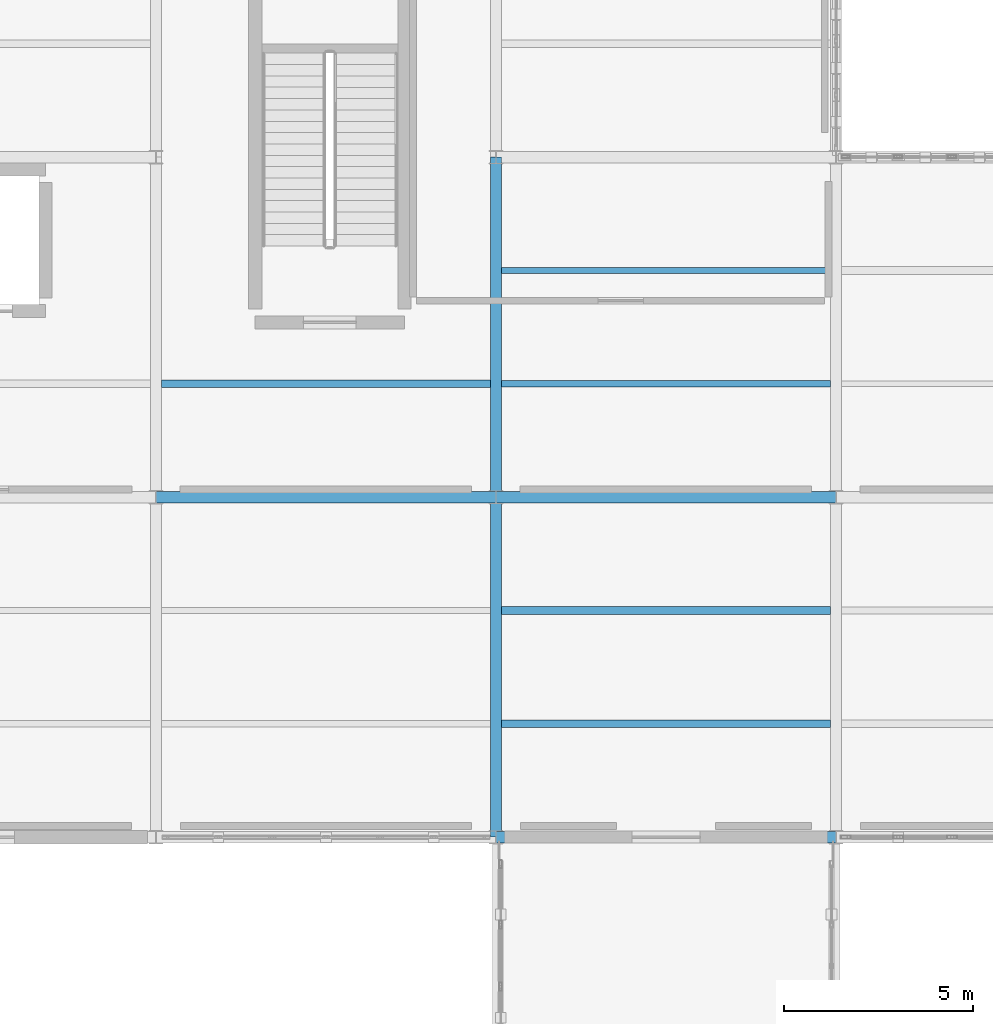
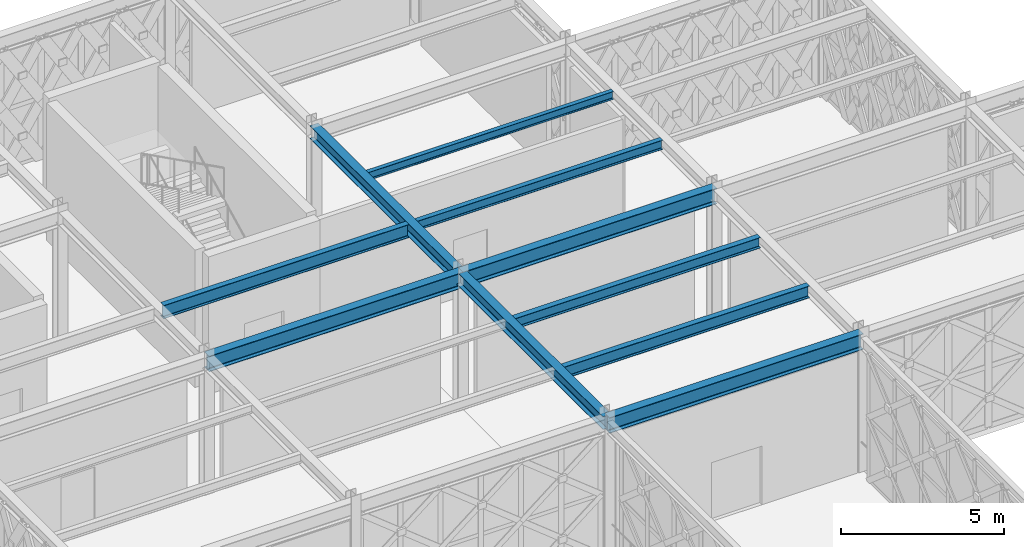
# One storey, part 112 of 166: 10 beams.
"""IFC4 building model written with IfcOpenShell, lengths in metres."""

from ifc_helpers import new_model, si_unit, direction, frame, origin, origin_2d, place, context, subcontext, project, spatial, i_section, extrude, material, material_profile, profile_set, type_object, element, save


model = new_model("IFC4")

# Units and contexts
model_context = context("Model", 3, precision=1e-05, world=origin(), true_north=direction((0.0, 1.0)))
body_context = subcontext(model_context, "Body", "Model", "MODEL_VIEW")
ifc_project = project(units=[si_unit("LENGTHUNIT", "METRE"), si_unit("AREAUNIT", "SQUARE_METRE"), si_unit("VOLUMEUNIT", "CUBIC_METRE"), si_unit("PLANEANGLEUNIT", "RADIAN"), si_unit("MASSUNIT", "GRAM", prefix="KILO")], contexts=[model_context])

# Site, building, storey
site_placement = place(None, origin())
site = spatial("IfcSite", under=ifc_project, at=site_placement, CompositionType="ELEMENT")
building_placement = place(site_placement, origin())
building = spatial("IfcBuilding", under=site, at=building_placement, Name="Haizhuo Lancet Aquarium", CompositionType="ELEMENT")
storey_placement = place(building_placement, frame((0.0, 0.0, 5.39990234375)))
storey = spatial("IfcBuildingStorey", under=building, at=storey_placement, Name="L01", CompositionType="ELEMENT", Elevation=5.39990234375)

# Beams
ifc_material = material(Name="Steel S355", Category="steel")
ifc_material_profile_1 = material_profile(ifc_material, i_section(OverallWidth=0.300048828125, OverallDepth=0.488037109375, WebThickness=0.010986328125, FlangeThickness=0.01806640625, FilletRadius=0.02392578125, at=origin_2d()), Name="HM 488x300x11x18")
ifc_profile_set_1 = profile_set([ifc_material_profile_1], Name="Steel S355")
beam_type_1 = type_object("IfcBeamType", Name="BM-ST-HM488", PredefinedType="BEAM", material=ifc_profile_set_1)
for number, where, z_axis, x_axis, name in (
    (1, (54.0, 9.0, 4.89599609375), (0.0, 1.0, 0.0), (-1.0, 0.0, 0.0), "L01 V7 primary girder BM-L01-V7-014"),
    (2, (54.0, 18.0, 4.89599609375), (0.0, 1.0, 0.0), (-1.0, 0.0, 0.0), "L01 V7 primary girder BM-L01-V7-016"),
):
    element("IfcBeam", number, at=place(storey_placement, frame(where, z_axis=z_axis, x_axis=x_axis)), inside=storey, type_object=beam_type_1, Name=name, PredefinedType="BEAM", context=body_context, shape_type="SweptSolid", body=[
        extrude(i_section(OverallWidth=0.300048828125, OverallDepth=0.488037109375, WebThickness=0.010986328125, FlangeThickness=0.01806640625, FilletRadius=0.02392578125, at=origin_2d()), origin(), (0.0, 0.0, 1.0), 9.0),
    ])
ifc_material_profile_2 = material_profile(ifc_material, i_section(OverallWidth=0.300048828125, OverallDepth=0.587890625, WebThickness=0.011962890625, FlangeThickness=0.02001953125, FilletRadius=0.02587890625, at=origin_2d()), Name="HM 588x300x12x20")
ifc_profile_set_2 = profile_set([ifc_material_profile_2], Name="Steel S355")
beam_type_2 = type_object("IfcBeamType", Name="BM-ST-HM588", PredefinedType="BEAM", material=ifc_profile_set_2)
for number, where, z_axis, x_axis, name in (
    (3, (45.0, 18.0, 4.84619140625), (1.0, 0.0, 0.0), (0.0, 1.0, 0.0), "L01 V7 primary girder BM-L01-V7-011"),
    (4, (54.0, 9.0, 4.84619140625), (1.0, 0.0, 0.0), (0.0, 1.0, 0.0), "L01 V7 primary girder BM-L01-V7-015"),
    (5, (54.0, 18.0, 4.84619140625), (1.0, 0.0, 0.0), (0.0, 1.0, 0.0), "L01 V7 primary girder BM-L01-V7-017"),
):
    element("IfcBeam", number, at=place(storey_placement, frame(where, z_axis=z_axis, x_axis=x_axis)), inside=storey, type_object=beam_type_2, Name=name, PredefinedType="BEAM", context=body_context, shape_type="SweptSolid", body=[
        extrude(i_section(OverallWidth=0.300048828125, OverallDepth=0.587890625, WebThickness=0.011962890625, FlangeThickness=0.02001953125, FilletRadius=0.02587890625, at=origin_2d()), origin(), (0.0, 0.0, 1.0), 9.0),
    ])
ifc_material_profile_3 = material_profile(ifc_material, i_section(OverallWidth=0.14990234375, OverallDepth=0.300048828125, WebThickness=0.006591796875, FlangeThickness=0.009033203125, FilletRadius=0.012939453125, at=origin_2d()), Name="HN 300x150x6.5x9")
ifc_profile_set_3 = profile_set([ifc_material_profile_3], Name="Steel S355")
beam_type_3 = type_object("IfcBeamType", Name="JST-ST-HN300", PredefinedType="JOIST", material=ifc_profile_set_3)
beam_1_placement = place(storey_placement, frame((54.14990234375, 24.0, 4.989990234375), z_axis=(1.0, 0.0, 0.0), x_axis=(0.0, 1.0, 0.0)))
element("IfcBeam", 6, at=beam_1_placement, inside=storey, type_object=beam_type_3, Name="L01 V7 secondary floor joist 12", PredefinedType="JOIST", context=body_context, shape_type="SweptSolid", body=[
    extrude(i_section(OverallWidth=0.14990234375, OverallDepth=0.300048828125, WebThickness=0.006591796875, FlangeThickness=0.009033203125, FilletRadius=0.012939453125, at=origin_2d()), origin(), (0.0, 0.0, 1.0), 8.7001953125),
])
ifc_material_profile_4 = material_profile(ifc_material, i_section(OverallWidth=0.175048828125, OverallDepth=0.35009765625, WebThickness=0.007080078125, FlangeThickness=0.010986328125, FilletRadius=0.013916015625, at=origin_2d()), Name="HN 350x175x7x11")
ifc_profile_set_4 = profile_set([ifc_material_profile_4], Name="Steel S355")
beam_type_4 = type_object("IfcBeamType", Name="JST-ST-HN350", PredefinedType="JOIST", material=ifc_profile_set_4)
beam_2_placement = place(storey_placement, frame((54.14990234375, 21.0, 4.965087890625), z_axis=(1.0, 0.0, 0.0), x_axis=(0.0, 1.0, 0.0)))
element("IfcBeam", 7, at=beam_2_placement, inside=storey, type_object=beam_type_4, Name="L01 V7 secondary floor joist 11", PredefinedType="JOIST", context=body_context, shape_type="SweptSolid", body=[
    extrude(i_section(OverallWidth=0.175048828125, OverallDepth=0.35009765625, WebThickness=0.007080078125, FlangeThickness=0.010986328125, FilletRadius=0.013916015625, at=origin_2d()), origin(), (0.0, 0.0, 1.0), 8.7001953125),
])
ifc_material_profile_5 = material_profile(ifc_material, i_section(OverallWidth=0.199951171875, OverallDepth=0.39990234375, WebThickness=0.008056640625, FlangeThickness=0.012939453125, FilletRadius=0.01611328125, at=origin_2d()), Name="HN 400x200x8x13")
ifc_profile_set_5 = profile_set([ifc_material_profile_5], Name="Steel S355")
beam_type_5 = type_object("IfcBeamType", Name="JST-ST-HN400", PredefinedType="JOIST", material=ifc_profile_set_5)
beam_3_placement = place(storey_placement, frame((54.14990234375, 15.0, 4.940185546875), z_axis=(1.0, 0.0, 0.0), x_axis=(0.0, 1.0, 0.0)))
element("IfcBeam", 8, at=beam_3_placement, inside=storey, type_object=beam_type_5, Name="L01 V7 secondary floor joist 10", PredefinedType="JOIST", context=body_context, shape_type="SweptSolid", body=[
    extrude(i_section(OverallWidth=0.199951171875, OverallDepth=0.39990234375, WebThickness=0.008056640625, FlangeThickness=0.012939453125, FilletRadius=0.01611328125, at=origin_2d()), origin(), (0.0, 0.0, 1.0), 8.7001953125),
])
ifc_material_profile_6 = material_profile(ifc_material, i_section(OverallWidth=0.199951171875, OverallDepth=0.449951171875, WebThickness=0.009033203125, FlangeThickness=0.013916015625, FilletRadius=0.01806640625, at=origin_2d()), Name="HN 450x200x9x14")
ifc_profile_set_6 = profile_set([ifc_material_profile_6], Name="Steel S355")
beam_type_6 = type_object("IfcBeamType", Name="JST-ST-HN450", PredefinedType="JOIST", material=ifc_profile_set_6)
beam_4_placement = place(storey_placement, frame((54.14990234375, 12.0, 4.9150390625), z_axis=(1.0, 0.0, 0.0), x_axis=(0.0, 1.0, 0.0)))
element("IfcBeam", 9, at=beam_4_placement, inside=storey, type_object=beam_type_6, Name="L01 V7 secondary floor joist 9", PredefinedType="JOIST", context=body_context, shape_type="SweptSolid", body=[
    extrude(i_section(OverallWidth=0.199951171875, OverallDepth=0.449951171875, WebThickness=0.009033203125, FlangeThickness=0.013916015625, FilletRadius=0.01806640625, at=origin_2d()), origin(), (0.0, 0.0, 1.0), 8.7001953125),
])
ifc_material_profile_7 = material_profile(ifc_material, i_section(OverallWidth=0.199951171875, OverallDepth=0.5, WebThickness=0.010009765625, FlangeThickness=0.01611328125, FilletRadius=0.02001953125, at=origin_2d()), Name="HN 500x200x10x16")
ifc_profile_set_7 = profile_set([ifc_material_profile_7], Name="Steel S355")
beam_type_7 = type_object("IfcBeamType", Name="JST-ST-HN500", PredefinedType="JOIST", material=ifc_profile_set_7)
beam_5_placement = place(storey_placement, frame((45.14990234375, 21.0, 4.89013671875), z_axis=(1.0, 0.0, 0.0), x_axis=(0.0, 1.0, 0.0)))
element("IfcBeam", 10, at=beam_5_placement, inside=storey, type_object=beam_type_7, Name="L01 V7 secondary floor joist 8", PredefinedType="JOIST", context=body_context, shape_type="SweptSolid", body=[
    extrude(i_section(OverallWidth=0.199951171875, OverallDepth=0.5, WebThickness=0.010009765625, FlangeThickness=0.01611328125, FilletRadius=0.02001953125, at=origin_2d()), origin(), (0.0, 0.0, 1.0), 8.7001953125),
])

save(model, "model.ifc")
